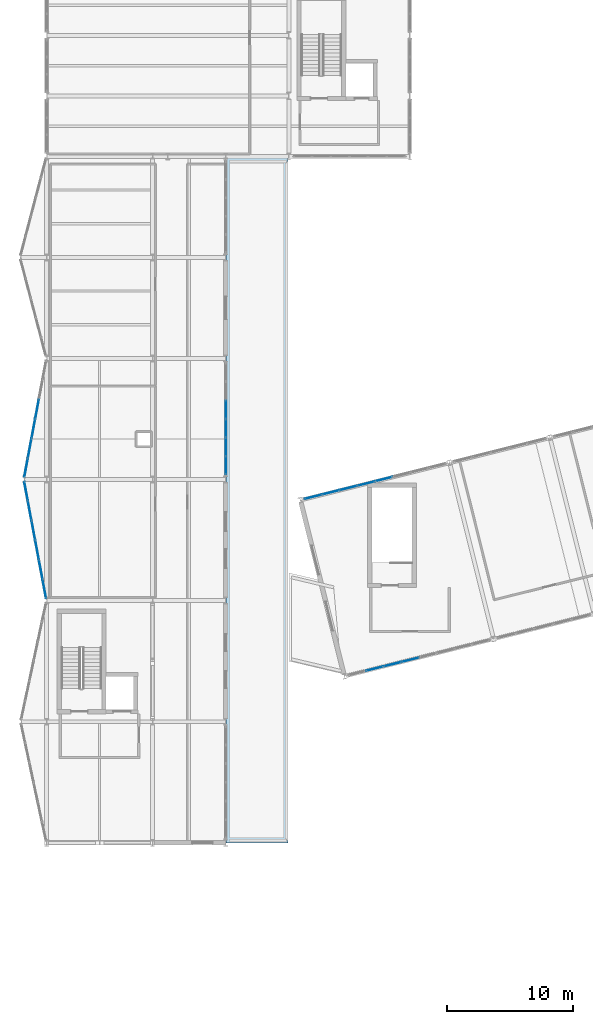
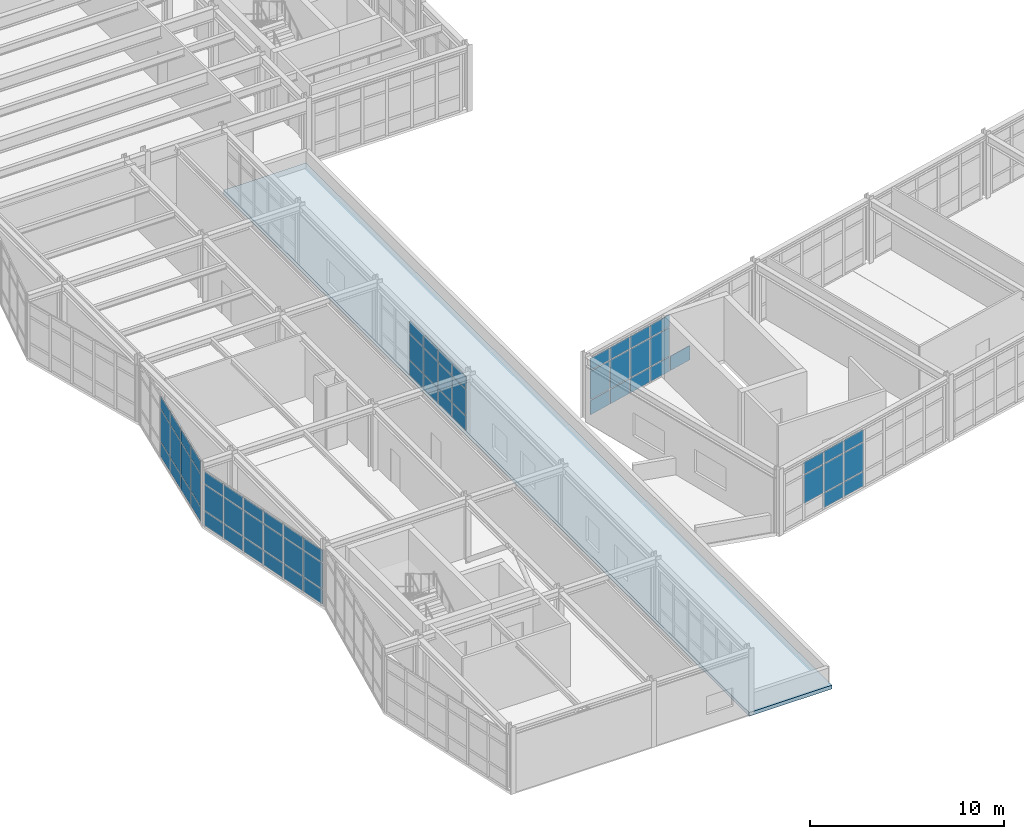
# One storey, part 40 of 64: 63 plates, 1 slab, 5 elements without a shape of their own.
"""IFC4 building model written with IfcOpenShell, lengths in metres."""

import ifcopenshell
import ifcopenshell.guid

model = None  # the IFC model being written
_history = None  # IfcOwnerHistory: only IFC2X3 demands one
_inside = {}  # id of a spatial element -> (the spatial element, [elements in it])
_under = {}  # id of a project, library or spatial element -> (it, [spatial elements below it])
_declared = {}  # id of a project -> (the project, [libraries it declares])
_typed = {}  # id of a type object -> (the type object, [elements of that type])
_made_of = {}  # id of a material, layer set ... -> (it, [elements and type objects made of it])


def new_model(schema):
    """Start an empty IFC model of exactly this schema.

    Asked for "IFC4X3", IfcOpenShell would pick the latest addendum, in which some entities
    have other attributes; the version numbers below select the first issue.
    IFC2X3 requires an IfcOwnerHistory on every rooted entity: one is made here for all.
    """
    global model, _history
    if schema == "IFC4X3":
        model = ifcopenshell.file(schema_version=(4, 3, 0, 0))
    else:
        model = ifcopenshell.file(schema=schema)
    _inside.clear()
    _under.clear()
    _declared.clear()
    _typed.clear()
    _made_of.clear()
    _history = None
    if model.schema == "IFC2X3":
        org = make("IfcOrganization", Name="unknown")
        user = make(
            "IfcPersonAndOrganization",
            ThePerson=make("IfcPerson", FamilyName="unknown"),
            TheOrganization=org,
        )
        app = make(
            "IfcApplication",
            ApplicationDeveloper=org,
            Version="unknown",
            ApplicationFullName="unknown",
            ApplicationIdentifier="unknown",
        )
        _history = make(
            "IfcOwnerHistory",
            OwningUser=user,
            OwningApplication=app,
            ChangeAction="ADDED",
            CreationDate=0,
        )
    return model


def make(cls, **values):
    """One entity of the class cls with the attributes given. An attribute that is None is left unset."""
    return model.create_entity(
        cls, **{name: value for name, value in values.items() if value is not None}
    )


def rooted(cls, **values):
    """An entity with a GlobalId (a new one), such as an element, a storey or a relation."""
    return make(cls, GlobalId=ifcopenshell.guid.new(), OwnerHistory=_history, **values)


def si_unit(unit_type, name, prefix=None):
    """IfcSIUnit, for example si_unit("LENGTHUNIT", "METRE", prefix="MILLI")."""
    return make("IfcSIUnit", UnitType=unit_type, Prefix=prefix, Name=name)


def assignment(units):
    """IfcUnitAssignment: the units of a project."""
    return None if units is None else make("IfcUnitAssignment", Units=units)


def point(xyz):
    """IfcCartesianPoint."""
    return None if xyz is None else make("IfcCartesianPoint", Coordinates=xyz)


def direction(xyz):
    """IfcDirection."""
    return None if xyz is None else make("IfcDirection", DirectionRatios=xyz)


def frame(location, z_axis=None, x_axis=None):
    """IfcAxis2Placement3D, a coordinate frame: its origin and axes. An axis left out is left unset."""
    return make(
        "IfcAxis2Placement3D",
        Location=point(location),
        Axis=direction(z_axis),
        RefDirection=direction(x_axis),
    )


def frame_2d(location, x_axis=None):
    """IfcAxis2Placement2D, a coordinate frame in the plane: its origin and x axis."""
    return make(
        "IfcAxis2Placement2D", Location=point(location), RefDirection=direction(x_axis)
    )


def origin():
    """The frame at (0, 0, 0) with its axes left unset."""
    return frame((0.0, 0.0, 0.0))


def origin_2d():
    """The frame at (0, 0) in the plane with its x axis left unset."""
    return frame_2d((0.0, 0.0))


def place(relative_to, where):
    """IfcLocalPlacement: puts the frame where relative to a parent placement (None: the world)."""
    return make(
        "IfcLocalPlacement", PlacementRelTo=relative_to, RelativePlacement=where
    )


def context(
    kind, dimensions, precision=None, world=None, true_north=None, identifier=None
):
    """IfcGeometricRepresentationContext, for example the 3D "Model" context."""
    return make(
        "IfcGeometricRepresentationContext",
        ContextIdentifier=identifier,
        ContextType=kind,
        CoordinateSpaceDimension=dimensions,
        Precision=precision,
        WorldCoordinateSystem=world,
        TrueNorth=true_north,
    )


def subcontext(parent, identifier, kind, view, scale=None):
    """IfcGeometricRepresentationSubContext, for example "Body" below "Model"."""
    return make(
        "IfcGeometricRepresentationSubContext",
        ContextIdentifier=identifier,
        ContextType=kind,
        ParentContext=parent,
        TargetScale=scale,
        TargetView=view,
    )


def project(units=None, contexts=None):
    """IfcProject with its units and contexts."""
    return rooted(
        "IfcProject",
        Name="project",
        RepresentationContexts=contexts,
        UnitsInContext=assignment(units),
    )


def spatial(cls, under=None, at=None, **own):
    """A site, building, storey or space (cls), placed at a placement, below another one or the project."""
    s = rooted(cls, ObjectPlacement=at, **own)
    if under is not None:
        _under.setdefault(under.id(), (under, []))[1].append(s)
    return s


def polyline(points):
    """IfcPolyline through the points."""
    return make("IfcPolyline", Points=[point(p) for p in points])


def profile(cls, at=None, kind="AREA", **sizes):
    """A parametric profile (cls). Its sizes go by their IFC names, for example OverallWidth=200.0."""
    return make(cls, ProfileType=kind, Position=at, **sizes)


def rectangle(**sizes):
    """IfcRectangleProfileDef."""
    return profile("IfcRectangleProfileDef", **sizes)


def outline(outer, holes=None, kind="AREA"):
    """IfcArbitraryClosedProfileDef: a profile drawn as a closed curve; with holes, ...WithVoids."""
    if holes is None:
        return make("IfcArbitraryClosedProfileDef", ProfileType=kind, OuterCurve=outer)
    return make(
        "IfcArbitraryProfileDefWithVoids",
        ProfileType=kind,
        OuterCurve=outer,
        InnerCurves=holes,
    )


def extrude(swept, where, along, depth):
    """IfcExtrudedAreaSolid: the profile swept, set in the frame where, extruded along a direction by depth."""
    return make(
        "IfcExtrudedAreaSolid",
        SweptArea=swept,
        Position=where,
        ExtrudedDirection=direction(along),
        Depth=depth,
    )


def shape(context_of_items, identifier, shape_type, items):
    """IfcShapeRepresentation: the items that make up one representation, for example the "Body"."""
    return make(
        "IfcShapeRepresentation",
        ContextOfItems=context_of_items,
        RepresentationIdentifier=identifier,
        RepresentationType=shape_type,
        Items=items,
    )


def material(Name=None, Category=None):
    """IfcMaterial."""
    return make("IfcMaterial", Name=Name, Category=Category)


def layer(
    of_material, thickness, ventilated=None, Name=None, Category=None, Priority=None
):
    """IfcMaterialLayer: one layer of a wall or slab, of a material (None: an air gap)."""
    return make(
        "IfcMaterialLayer",
        Material=of_material,
        LayerThickness=thickness,
        IsVentilated=ventilated,
        Name=Name,
        Category=Category,
        Priority=Priority,
    )


def layer_set(layers, Name=None):
    """IfcMaterialLayerSet."""
    return make("IfcMaterialLayerSet", MaterialLayers=layers, LayerSetName=Name)


def made_of(thing, what):
    """Note that an element or type object is made of a material, layer set ...; save() writes the relation."""
    if what is not None:
        _made_of.setdefault(what.id(), (what, []))[1].append(thing)
    return thing


def type_object(cls, material=None, **own):
    """A type object (cls), such as IfcWallType, which elements share."""
    return made_of(rooted(cls, **own), material)


def element(
    cls,
    number,
    at=None,
    inside=None,
    cuts=None,
    type_object=None,
    material=None,
    context=None,
    identifier="Body",
    shape_type=None,
    held_by="IfcProductDefinitionShape",
    body=None,
    shapes=None,
    **own,
):
    """One element of the class cls, such as IfcWall. Its Tag is "e" and its number.

    at: its placement. inside: the storey or other place that contains it. cuts: it is an
    opening in that element (IfcRelVoidsElement). A single representation is given by context,
    identifier, shape_type and body (its items); several are given by shapes. held_by: the class
    of the entity that holds the representations. save() writes the other relations.
    """
    e = rooted(cls, Tag="e%d" % number, ObjectPlacement=at, **own)
    if body is not None:
        shapes = [shape(context, identifier, shape_type, body)]
    if shapes is not None:
        e.Representation = make(held_by, Representations=shapes)
    if inside is not None:
        _inside.setdefault(inside.id(), (inside, []))[1].append(e)
    if cuts is not None:
        rooted(
            "IfcRelVoidsElement", RelatingBuildingElement=cuts, RelatedOpeningElement=e
        )
    if type_object is not None:
        _typed.setdefault(type_object.id(), (type_object, []))[1].append(e)
    return made_of(e, material)


def aggregate(whole, parts):
    """IfcRelAggregates: a whole, such as a stair, and the parts it consists of."""
    return rooted("IfcRelAggregates", RelatingObject=whole, RelatedObjects=parts)


def save(model, path):
    """Write the relations noted so far, then the file.

    IfcRelAggregates (storeys below a building ...), IfcRelContainedInSpatialStructure (elements
    in a storey), IfcRelDefinesByType, IfcRelAssociatesMaterial and IfcRelDeclares: one each for
    every whole, place, type object, material and project.
    """
    for whole, parts in _under.values():
        aggregate(whole, parts)
    for where, things in _inside.values():
        rooted(
            "IfcRelContainedInSpatialStructure",
            RelatedElements=things,
            RelatingStructure=where,
        )
    for kind, things in _typed.values():
        rooted("IfcRelDefinesByType", RelatedObjects=things, RelatingType=kind)
    for what, things in _made_of.values():
        rooted("IfcRelAssociatesMaterial", RelatedObjects=things, RelatingMaterial=what)
    for by, libraries in _declared.values():
        rooted("IfcRelDeclares", RelatingContext=by, RelatedDefinitions=libraries)
    model.write(path)


model = new_model("IFC4")

# Units and contexts
model_context = context("Model", 3, precision=1e-05, world=origin(), true_north=direction((0.0, 1.0)))
body_context = subcontext(model_context, "Body", "Model", "MODEL_VIEW")
ifc_project = project(units=[si_unit("LENGTHUNIT", "METRE"), si_unit("AREAUNIT", "SQUARE_METRE"), si_unit("VOLUMEUNIT", "CUBIC_METRE"), si_unit("PLANEANGLEUNIT", "RADIAN"), si_unit("MASSUNIT", "GRAM", prefix="KILO")], contexts=[model_context])

# Site, building, storey
site_placement = place(None, origin())
site = spatial("IfcSite", under=ifc_project, at=site_placement, CompositionType="ELEMENT")
building_placement = place(site_placement, origin())
building = spatial("IfcBuilding", under=site, at=building_placement, Name="Nordkorset Police Headquarters", CompositionType="ELEMENT")
storey_placement = place(building_placement, frame((0.0, 0.0, 17.85009765625)))
storey = spatial("IfcBuildingStorey", under=building, at=storey_placement, Name="L04", CompositionType="ELEMENT", Elevation=17.85009765625)

# Curtain wall, plates
ifc_material_1 = material(Name="Aluminium alloy AW-6060", Category="aluminium")
ifc_layer_1 = layer(ifc_material_1, 0.179931640625, Name="Aluminium alloy AW-6060")
ifc_layer_set_1 = layer_set([ifc_layer_1], Name="Aluminium alloy AW-6060")
curtain_wall_type_1 = type_object("IfcCurtainWallType", Name="CW_Unit_949x353", PredefinedType="USERDEFINED", material=ifc_layer_set_1)
curtain_wall_1_placement = place(storey_placement, origin())
curtain_wall_1 = element("IfcCurtainWall", 1, at=curtain_wall_1_placement, inside=storey, type_object=curtain_wall_type_1, Name="Unitised Curtain Wall L04 V3W-2", ObjectType="UNITISED CURTAIN WALL", PredefinedType="USERDEFINED")
ifc_material_2 = material(Name="Low-iron triple glazing", Category="glass")
ifc_layer_2 = layer(ifc_material_2, 0.035888671875, Name="Low-iron triple glazing")
ifc_layer_set_2 = layer_set([ifc_layer_2], Name="Low-iron triple glazing")
plate_type = type_object("IfcPlateType", Name="CW_Panel_TripleGlazing_36", PredefinedType="CURTAIN_PANEL", material=ifc_layer_set_2)
plate_1_placement = place(storey_placement, frame((-0.174560546875, 48.9306640625, 0.06494140625), z_axis=(0.0, 0.0, 1.0), x_axis=(-0.184288535048, 0.982872186935, 0.0)))
plate_1 = element("IfcPlate", 2, at=plate_1_placement, type_object=plate_type, Name="CW-13 panel 1.1", PredefinedType="CURTAIN_PANEL", context=body_context, shape_type="SweptSolid", body=[
    extrude(rectangle(XDim=1.483642578125, YDim=0.035888671875, at=origin_2d()), origin(), (0.0, 0.0, 1.0), 0.902587890625),
])
plate_2_placement = place(storey_placement, frame((-0.174560546875, 48.9306640625, 1.0322265625), z_axis=(0.0, 0.0, 1.0), x_axis=(-0.184288535048, 0.982872186935, 0.0)))
plate_2 = element("IfcPlate", 3, at=plate_2_placement, type_object=plate_type, Name="CW-13 panel 1.2", PredefinedType="CURTAIN_PANEL", context=body_context, shape_type="SweptSolid", body=[
    extrude(rectangle(XDim=1.483642578125, YDim=0.035888671875, at=origin_2d()), origin(), (0.0, 0.0, 1.0), 1.614990234375),
])
plate_3_placement = place(storey_placement, frame((-0.174560546875, 48.9306640625, 2.71240234375), z_axis=(0.0, 0.0, 1.0), x_axis=(-0.184288535048, 0.982872186935, 0.0)))
plate_3 = element("IfcPlate", 4, at=plate_3_placement, type_object=plate_type, Name="CW-13 panel 1.3", PredefinedType="CURTAIN_PANEL", context=body_context, shape_type="SweptSolid", body=[
    extrude(rectangle(XDim=1.483642578125, YDim=0.035888671875, at=origin_2d()), origin(), (0.0, 0.0, 1.0), 0.75244140625),
])
plate_4_placement = place(storey_placement, frame((-0.462890625, 50.46875, 0.06494140625), z_axis=(0.0, 0.0, 1.0), x_axis=(-0.184288535048, 0.982872186935, 0.0)))
plate_4 = element("IfcPlate", 5, at=plate_4_placement, type_object=plate_type, Name="CW-13 panel 2.1", PredefinedType="CURTAIN_PANEL", context=body_context, shape_type="SweptSolid", body=[
    extrude(rectangle(XDim=1.51611328125, YDim=0.035888671875, at=origin_2d()), origin(), (0.0, 0.0, 1.0), 0.902587890625),
])
plate_5_placement = place(storey_placement, frame((-0.462890625, 50.46875, 1.0322265625), z_axis=(0.0, 0.0, 1.0), x_axis=(-0.184288535048, 0.982872186935, 0.0)))
plate_5 = element("IfcPlate", 6, at=plate_5_placement, type_object=plate_type, Name="CW-13 panel 2.2", PredefinedType="CURTAIN_PANEL", context=body_context, shape_type="SweptSolid", body=[
    extrude(rectangle(XDim=1.51611328125, YDim=0.035888671875, at=origin_2d()), origin(), (0.0, 0.0, 1.0), 1.614990234375),
])
plate_6_placement = place(storey_placement, frame((-0.462890625, 50.46875, 2.71240234375), z_axis=(0.0, 0.0, 1.0), x_axis=(-0.184288535048, 0.982872186935, 0.0)))
plate_6 = element("IfcPlate", 7, at=plate_6_placement, type_object=plate_type, Name="CW-13 panel 2.3", PredefinedType="CURTAIN_PANEL", context=body_context, shape_type="SweptSolid", body=[
    extrude(rectangle(XDim=1.51611328125, YDim=0.035888671875, at=origin_2d()), origin(), (0.0, 0.0, 1.0), 0.75244140625),
])
plate_7_placement = place(storey_placement, frame((-0.75439453125, 52.02294921875, 0.06494140625), z_axis=(0.0, 0.0, 1.0), x_axis=(-0.184288535048, 0.982872186935, 0.0)))
plate_7 = element("IfcPlate", 8, at=plate_7_placement, type_object=plate_type, Name="CW-13 panel 3.1", PredefinedType="CURTAIN_PANEL", context=body_context, shape_type="SweptSolid", body=[
    extrude(rectangle(XDim=1.51611328125, YDim=0.035888671875, at=origin_2d()), origin(), (0.0, 0.0, 1.0), 0.902587890625),
])
plate_8_placement = place(storey_placement, frame((-0.75439453125, 52.02294921875, 1.0322265625), z_axis=(0.0, 0.0, 1.0), x_axis=(-0.184288535048, 0.982872186935, 0.0)))
plate_8 = element("IfcPlate", 9, at=plate_8_placement, type_object=plate_type, Name="CW-13 panel 3.2", PredefinedType="CURTAIN_PANEL", context=body_context, shape_type="SweptSolid", body=[
    extrude(rectangle(XDim=1.51611328125, YDim=0.035888671875, at=origin_2d()), origin(), (0.0, 0.0, 1.0), 1.614990234375),
])
plate_9_placement = place(storey_placement, frame((-0.75439453125, 52.02294921875, 2.71240234375), z_axis=(0.0, 0.0, 1.0), x_axis=(-0.184288535048, 0.982872186935, 0.0)))
plate_9 = element("IfcPlate", 10, at=plate_9_placement, type_object=plate_type, Name="CW-13 panel 3.3", PredefinedType="CURTAIN_PANEL", context=body_context, shape_type="SweptSolid", body=[
    extrude(rectangle(XDim=1.51611328125, YDim=0.035888671875, at=origin_2d()), origin(), (0.0, 0.0, 1.0), 0.75244140625),
])
plate_10_placement = place(storey_placement, frame((-1.045654296875, 53.5771484375, 0.06494140625), z_axis=(0.0, 0.0, 1.0), x_axis=(-0.184288535048, 0.982872186935, 0.0)))
plate_10 = element("IfcPlate", 11, at=plate_10_placement, type_object=plate_type, Name="CW-13 panel 4.1", PredefinedType="CURTAIN_PANEL", context=body_context, shape_type="SweptSolid", body=[
    extrude(rectangle(XDim=1.51611328125, YDim=0.035888671875, at=origin_2d()), origin(), (0.0, 0.0, 1.0), 0.902587890625),
])
plate_11_placement = place(storey_placement, frame((-1.045654296875, 53.5771484375, 1.0322265625), z_axis=(0.0, 0.0, 1.0), x_axis=(-0.184288535048, 0.982872186935, 0.0)))
plate_11 = element("IfcPlate", 12, at=plate_11_placement, type_object=plate_type, Name="CW-13 panel 4.2", PredefinedType="CURTAIN_PANEL", context=body_context, shape_type="SweptSolid", body=[
    extrude(rectangle(XDim=1.51611328125, YDim=0.035888671875, at=origin_2d()), origin(), (0.0, 0.0, 1.0), 1.614990234375),
])
plate_12_placement = place(storey_placement, frame((-1.045654296875, 53.5771484375, 2.71240234375), z_axis=(0.0, 0.0, 1.0), x_axis=(-0.184288535048, 0.982872186935, 0.0)))
plate_12 = element("IfcPlate", 13, at=plate_12_placement, type_object=plate_type, Name="CW-13 panel 4.3", PredefinedType="CURTAIN_PANEL", context=body_context, shape_type="SweptSolid", body=[
    extrude(rectangle(XDim=1.51611328125, YDim=0.035888671875, at=origin_2d()), origin(), (0.0, 0.0, 1.0), 0.75244140625),
])
plate_13_placement = place(storey_placement, frame((-1.337158203125, 55.131103515625, 0.06494140625), z_axis=(0.0, 0.0, 1.0), x_axis=(-0.184288535048, 0.982872186935, 0.0)))
plate_13 = element("IfcPlate", 14, at=plate_13_placement, type_object=plate_type, Name="CW-13 panel 5.1", PredefinedType="CURTAIN_PANEL", context=body_context, shape_type="SweptSolid", body=[
    extrude(rectangle(XDim=1.51611328125, YDim=0.035888671875, at=origin_2d()), origin(), (0.0, 0.0, 1.0), 0.902587890625),
])
plate_14_placement = place(storey_placement, frame((-1.337158203125, 55.131103515625, 1.0322265625), z_axis=(0.0, 0.0, 1.0), x_axis=(-0.184288535048, 0.982872186935, 0.0)))
plate_14 = element("IfcPlate", 15, at=plate_14_placement, type_object=plate_type, Name="CW-13 panel 5.2", PredefinedType="CURTAIN_PANEL", context=body_context, shape_type="SweptSolid", body=[
    extrude(rectangle(XDim=1.51611328125, YDim=0.035888671875, at=origin_2d()), origin(), (0.0, 0.0, 1.0), 1.614990234375),
])
plate_15_placement = place(storey_placement, frame((-1.337158203125, 55.131103515625, 2.71240234375), z_axis=(0.0, 0.0, 1.0), x_axis=(-0.184288535048, 0.982872186935, 0.0)))
plate_15 = element("IfcPlate", 16, at=plate_15_placement, type_object=plate_type, Name="CW-13 panel 5.3", PredefinedType="CURTAIN_PANEL", context=body_context, shape_type="SweptSolid", body=[
    extrude(rectangle(XDim=1.51611328125, YDim=0.035888671875, at=origin_2d()), origin(), (0.0, 0.0, 1.0), 0.75244140625),
])
plate_16_placement = place(storey_placement, frame((-1.62548828125, 56.66943359375, 0.06494140625), z_axis=(0.0, 0.0, 1.0), x_axis=(-0.184288535048, 0.982872186935, 0.0)))
plate_16 = element("IfcPlate", 17, at=plate_16_placement, type_object=plate_type, Name="CW-13 panel 6.1", PredefinedType="CURTAIN_PANEL", context=body_context, shape_type="SweptSolid", body=[
    extrude(rectangle(XDim=1.483642578125, YDim=0.035888671875, at=origin_2d()), origin(), (0.0, 0.0, 1.0), 0.902587890625),
])
plate_17_placement = place(storey_placement, frame((-1.62548828125, 56.66943359375, 1.0322265625), z_axis=(0.0, 0.0, 1.0), x_axis=(-0.184288535048, 0.982872186935, 0.0)))
plate_17 = element("IfcPlate", 18, at=plate_17_placement, type_object=plate_type, Name="CW-13 panel 6.2", PredefinedType="CURTAIN_PANEL", context=body_context, shape_type="SweptSolid", body=[
    extrude(rectangle(XDim=1.483642578125, YDim=0.035888671875, at=origin_2d()), origin(), (0.0, 0.0, 1.0), 1.614990234375),
])
plate_18_placement = place(storey_placement, frame((-1.62548828125, 56.66943359375, 2.71240234375), z_axis=(0.0, 0.0, 1.0), x_axis=(-0.184288535048, 0.982872186935, 0.0)))
plate_18 = element("IfcPlate", 19, at=plate_18_placement, type_object=plate_type, Name="CW-13 panel 6.3", PredefinedType="CURTAIN_PANEL", context=body_context, shape_type="SweptSolid", body=[
    extrude(rectangle(XDim=1.483642578125, YDim=0.035888671875, at=origin_2d()), origin(), (0.0, 0.0, 1.0), 0.75244140625),
])
aggregate(curtain_wall_1, [plate_1, plate_2, plate_3, plate_4, plate_5, plate_6, plate_7, plate_8, plate_9, plate_10, plate_11, plate_12, plate_13, plate_14, plate_15, plate_16, plate_17, plate_18])

ifc_material_3 = material(Name="Aluminium alloy AW-6060", Category="aluminium")
ifc_layer_3 = layer(ifc_material_3, 0.179931640625, Name="Aluminium alloy AW-6060")
ifc_layer_set_3 = layer_set([ifc_layer_3], Name="Aluminium alloy AW-6060")
curtain_wall_type_2 = type_object("IfcCurtainWallType", Name="CW_Unit_949x392", PredefinedType="USERDEFINED", material=ifc_layer_set_3)
curtain_wall_2_placement = place(storey_placement, origin())
curtain_wall_2 = element("IfcCurtainWall", 20, at=curtain_wall_2_placement, inside=storey, type_object=curtain_wall_type_2, Name="Unitised Curtain Wall L04 V3W-3", ObjectType="UNITISED CURTAIN WALL", PredefinedType="USERDEFINED")
plate_19_placement = place(storey_placement, frame((-1.62548828125, 58.530517578125, 0.06494140625), z_axis=(0.0, 0.0, 1.0), x_axis=(0.184288535048, 0.982872186935, 0.0)))
plate_19 = element("IfcPlate", 21, at=plate_19_placement, type_object=plate_type, Name="CW-49 panel 1.1", PredefinedType="CURTAIN_PANEL", context=body_context, shape_type="SweptSolid", body=[
    extrude(rectangle(XDim=1.483642578125, YDim=0.035888671875, at=origin_2d()), origin(), (0.0, 0.0, 1.0), 0.902587890625),
])
plate_20_placement = place(storey_placement, frame((-1.62548828125, 58.530517578125, 1.032470703125), z_axis=(0.0, 0.0, 1.0), x_axis=(0.184288535048, 0.982872186935, 0.0)))
plate_20 = element("IfcPlate", 22, at=plate_20_placement, type_object=plate_type, Name="CW-49 panel 1.2", PredefinedType="CURTAIN_PANEL", context=body_context, shape_type="SweptSolid", body=[
    extrude(rectangle(XDim=1.483642578125, YDim=0.035888671875, at=origin_2d()), origin(), (0.0, 0.0, 1.0), 2.0048828125),
])
plate_21_placement = place(storey_placement, frame((-1.62548828125, 58.530517578125, 3.1025390625), z_axis=(0.0, 0.0, 1.0), x_axis=(0.184288535048, 0.982872186935, 0.0)))
plate_21 = element("IfcPlate", 23, at=plate_21_placement, type_object=plate_type, Name="CW-49 panel 1.3", PredefinedType="CURTAIN_PANEL", context=body_context, shape_type="SweptSolid", body=[
    extrude(rectangle(XDim=1.483642578125, YDim=0.035888671875, at=origin_2d()), origin(), (0.0, 0.0, 1.0), 0.75244140625),
])
plate_22_placement = place(storey_placement, frame((-1.337158203125, 60.06884765625, 0.06494140625), z_axis=(0.0, 0.0, 1.0), x_axis=(0.184288535048, 0.982872186935, 0.0)))
plate_22 = element("IfcPlate", 24, at=plate_22_placement, type_object=plate_type, Name="CW-49 panel 2.1", PredefinedType="CURTAIN_PANEL", context=body_context, shape_type="SweptSolid", body=[
    extrude(rectangle(XDim=1.51611328125, YDim=0.035888671875, at=origin_2d()), origin(), (0.0, 0.0, 1.0), 0.902587890625),
])
plate_23_placement = place(storey_placement, frame((-1.337158203125, 60.06884765625, 1.032470703125), z_axis=(0.0, 0.0, 1.0), x_axis=(0.184288535048, 0.982872186935, 0.0)))
plate_23 = element("IfcPlate", 25, at=plate_23_placement, type_object=plate_type, Name="CW-49 panel 2.2", PredefinedType="CURTAIN_PANEL", context=body_context, shape_type="SweptSolid", body=[
    extrude(rectangle(XDim=1.51611328125, YDim=0.035888671875, at=origin_2d()), origin(), (0.0, 0.0, 1.0), 2.0048828125),
])
plate_24_placement = place(storey_placement, frame((-1.337158203125, 60.06884765625, 3.1025390625), z_axis=(0.0, 0.0, 1.0), x_axis=(0.184288535048, 0.982872186935, 0.0)))
plate_24 = element("IfcPlate", 26, at=plate_24_placement, type_object=plate_type, Name="CW-49 panel 2.3", PredefinedType="CURTAIN_PANEL", context=body_context, shape_type="SweptSolid", body=[
    extrude(rectangle(XDim=1.51611328125, YDim=0.035888671875, at=origin_2d()), origin(), (0.0, 0.0, 1.0), 0.75244140625),
])
plate_25_placement = place(storey_placement, frame((-1.045654296875, 61.623046875, 0.06494140625), z_axis=(0.0, 0.0, 1.0), x_axis=(0.184288535048, 0.982872186935, 0.0)))
plate_25 = element("IfcPlate", 27, at=plate_25_placement, type_object=plate_type, Name="CW-49 panel 3.1", PredefinedType="CURTAIN_PANEL", context=body_context, shape_type="SweptSolid", body=[
    extrude(rectangle(XDim=1.51611328125, YDim=0.035888671875, at=origin_2d()), origin(), (0.0, 0.0, 1.0), 0.902587890625),
])
plate_26_placement = place(storey_placement, frame((-1.045654296875, 61.623046875, 1.032470703125), z_axis=(0.0, 0.0, 1.0), x_axis=(0.184288535048, 0.982872186935, 0.0)))
plate_26 = element("IfcPlate", 28, at=plate_26_placement, type_object=plate_type, Name="CW-49 panel 3.2", PredefinedType="CURTAIN_PANEL", context=body_context, shape_type="SweptSolid", body=[
    extrude(rectangle(XDim=1.51611328125, YDim=0.035888671875, at=origin_2d()), origin(), (0.0, 0.0, 1.0), 2.0048828125),
])
plate_27_placement = place(storey_placement, frame((-1.045654296875, 61.623046875, 3.1025390625), z_axis=(0.0, 0.0, 1.0), x_axis=(0.184288535048, 0.982872186935, 0.0)))
plate_27 = element("IfcPlate", 29, at=plate_27_placement, type_object=plate_type, Name="CW-49 panel 3.3", PredefinedType="CURTAIN_PANEL", context=body_context, shape_type="SweptSolid", body=[
    extrude(rectangle(XDim=1.51611328125, YDim=0.035888671875, at=origin_2d()), origin(), (0.0, 0.0, 1.0), 0.75244140625),
])
plate_28_placement = place(storey_placement, frame((-0.75439453125, 63.177001953125, 0.06494140625), z_axis=(0.0, 0.0, 1.0), x_axis=(0.184288535048, 0.982872186935, 0.0)))
plate_28 = element("IfcPlate", 30, at=plate_28_placement, type_object=plate_type, Name="CW-49 panel 4.1", PredefinedType="CURTAIN_PANEL", context=body_context, shape_type="SweptSolid", body=[
    extrude(rectangle(XDim=1.51611328125, YDim=0.035888671875, at=origin_2d()), origin(), (0.0, 0.0, 1.0), 0.902587890625),
])
plate_29_placement = place(storey_placement, frame((-0.75439453125, 63.177001953125, 1.032470703125), z_axis=(0.0, 0.0, 1.0), x_axis=(0.184288535048, 0.982872186935, 0.0)))
plate_29 = element("IfcPlate", 31, at=plate_29_placement, type_object=plate_type, Name="CW-49 panel 4.2", PredefinedType="CURTAIN_PANEL", context=body_context, shape_type="SweptSolid", body=[
    extrude(rectangle(XDim=1.51611328125, YDim=0.035888671875, at=origin_2d()), origin(), (0.0, 0.0, 1.0), 2.0048828125),
])
plate_30_placement = place(storey_placement, frame((-0.75439453125, 63.177001953125, 3.1025390625), z_axis=(0.0, 0.0, 1.0), x_axis=(0.184288535048, 0.982872186935, 0.0)))
plate_30 = element("IfcPlate", 32, at=plate_30_placement, type_object=plate_type, Name="CW-49 panel 4.3", PredefinedType="CURTAIN_PANEL", context=body_context, shape_type="SweptSolid", body=[
    extrude(rectangle(XDim=1.51611328125, YDim=0.035888671875, at=origin_2d()), origin(), (0.0, 0.0, 1.0), 0.75244140625),
])
aggregate(curtain_wall_2, [plate_19, plate_20, plate_21, plate_22, plate_23, plate_24, plate_25, plate_26, plate_27, plate_28, plate_29, plate_30])

ifc_material_4 = material(Name="Aluminium alloy AW-6060", Category="aluminium")
ifc_layer_4 = layer(ifc_material_4, 0.179931640625, Name="Aluminium alloy AW-6060")
ifc_layer_set_4 = layer_set([ifc_layer_4], Name="Aluminium alloy AW-6060")
curtain_wall_type_3 = type_object("IfcCurtainWallType", Name="CW_Unit_888x353", PredefinedType="USERDEFINED", material=ifc_layer_set_4)
curtain_wall_3_placement = place(storey_placement, origin())
curtain_wall_3 = element("IfcCurtainWall", 33, at=curtain_wall_3_placement, inside=storey, type_object=curtain_wall_type_3, Name="Unitised Curtain Wall L04 V3E-3", ObjectType="UNITISED CURTAIN WALL", PredefinedType="USERDEFINED")
plate_31_placement = place(storey_placement, frame((14.199951171875, 58.71630859375, 0.06494140625), z_axis=(0.0, 0.0, 1.0), x_axis=(0.0, 1.0, 0.0)))
plate_31 = element("IfcPlate", 34, at=plate_31_placement, type_object=plate_type, Name="CW-52 panel 1.1", PredefinedType="CURTAIN_PANEL", context=body_context, shape_type="SweptSolid", body=[
    extrude(rectangle(XDim=1.382568359375, YDim=0.035888671875, at=origin_2d()), origin(), (0.0, 0.0, 1.0), 0.902587890625),
])
plate_32_placement = place(storey_placement, frame((14.199951171875, 58.71630859375, 1.0322265625), z_axis=(0.0, 0.0, 1.0), x_axis=(0.0, 1.0, 0.0)))
plate_32 = element("IfcPlate", 35, at=plate_32_placement, type_object=plate_type, Name="CW-52 panel 1.2", PredefinedType="CURTAIN_PANEL", context=body_context, shape_type="SweptSolid", body=[
    extrude(rectangle(XDim=1.382568359375, YDim=0.035888671875, at=origin_2d()), origin(), (0.0, 0.0, 1.0), 1.614990234375),
])
plate_33_placement = place(storey_placement, frame((14.199951171875, 58.71630859375, 2.71240234375), z_axis=(0.0, 0.0, 1.0), x_axis=(0.0, 1.0, 0.0)))
plate_33 = element("IfcPlate", 36, at=plate_33_placement, type_object=plate_type, Name="CW-52 panel 1.3", PredefinedType="CURTAIN_PANEL", context=body_context, shape_type="SweptSolid", body=[
    extrude(rectangle(XDim=1.382568359375, YDim=0.035888671875, at=origin_2d()), origin(), (0.0, 0.0, 1.0), 0.75244140625),
])
plate_34_placement = place(storey_placement, frame((14.199951171875, 60.179931640625, 0.06494140625), z_axis=(0.0, 0.0, 1.0), x_axis=(0.0, 1.0, 0.0)))
plate_34 = element("IfcPlate", 37, at=plate_34_placement, type_object=plate_type, Name="CW-52 panel 2.1", PredefinedType="CURTAIN_PANEL", context=body_context, shape_type="SweptSolid", body=[
    extrude(rectangle(XDim=1.4150390625, YDim=0.035888671875, at=origin_2d()), origin(), (0.0, 0.0, 1.0), 0.902587890625),
])
plate_35_placement = place(storey_placement, frame((14.199951171875, 60.179931640625, 1.0322265625), z_axis=(0.0, 0.0, 1.0), x_axis=(0.0, 1.0, 0.0)))
plate_35 = element("IfcPlate", 38, at=plate_35_placement, type_object=plate_type, Name="CW-52 panel 2.2", PredefinedType="CURTAIN_PANEL", context=body_context, shape_type="SweptSolid", body=[
    extrude(rectangle(XDim=1.4150390625, YDim=0.035888671875, at=origin_2d()), origin(), (0.0, 0.0, 1.0), 1.614990234375),
])
plate_36_placement = place(storey_placement, frame((14.199951171875, 60.179931640625, 2.71240234375), z_axis=(0.0, 0.0, 1.0), x_axis=(0.0, 1.0, 0.0)))
plate_36 = element("IfcPlate", 39, at=plate_36_placement, type_object=plate_type, Name="CW-52 panel 2.3", PredefinedType="CURTAIN_PANEL", context=body_context, shape_type="SweptSolid", body=[
    extrude(rectangle(XDim=1.4150390625, YDim=0.035888671875, at=origin_2d()), origin(), (0.0, 0.0, 1.0), 0.75244140625),
])
plate_37_placement = place(storey_placement, frame((14.199951171875, 61.659912109375, 0.06494140625), z_axis=(0.0, 0.0, 1.0), x_axis=(0.0, 1.0, 0.0)))
plate_37 = element("IfcPlate", 40, at=plate_37_placement, type_object=plate_type, Name="CW-52 panel 3.1", PredefinedType="CURTAIN_PANEL", context=body_context, shape_type="SweptSolid", body=[
    extrude(rectangle(XDim=1.4150390625, YDim=0.035888671875, at=origin_2d()), origin(), (0.0, 0.0, 1.0), 0.902587890625),
])
plate_38_placement = place(storey_placement, frame((14.199951171875, 61.659912109375, 1.0322265625), z_axis=(0.0, 0.0, 1.0), x_axis=(0.0, 1.0, 0.0)))
plate_38 = element("IfcPlate", 41, at=plate_38_placement, type_object=plate_type, Name="CW-52 panel 3.2", PredefinedType="CURTAIN_PANEL", context=body_context, shape_type="SweptSolid", body=[
    extrude(rectangle(XDim=1.4150390625, YDim=0.035888671875, at=origin_2d()), origin(), (0.0, 0.0, 1.0), 1.614990234375),
])
plate_39_placement = place(storey_placement, frame((14.199951171875, 61.659912109375, 2.71240234375), z_axis=(0.0, 0.0, 1.0), x_axis=(0.0, 1.0, 0.0)))
plate_39 = element("IfcPlate", 42, at=plate_39_placement, type_object=plate_type, Name="CW-52 panel 3.3", PredefinedType="CURTAIN_PANEL", context=body_context, shape_type="SweptSolid", body=[
    extrude(rectangle(XDim=1.4150390625, YDim=0.035888671875, at=origin_2d()), origin(), (0.0, 0.0, 1.0), 0.75244140625),
])
plate_40_placement = place(storey_placement, frame((14.199951171875, 63.139892578125, 0.06494140625), z_axis=(0.0, 0.0, 1.0), x_axis=(0.0, 1.0, 0.0)))
plate_40 = element("IfcPlate", 43, at=plate_40_placement, type_object=plate_type, Name="CW-52 panel 4.1", PredefinedType="CURTAIN_PANEL", context=body_context, shape_type="SweptSolid", body=[
    extrude(rectangle(XDim=1.4150390625, YDim=0.035888671875, at=origin_2d()), origin(), (0.0, 0.0, 1.0), 0.902587890625),
])
plate_41_placement = place(storey_placement, frame((14.199951171875, 63.139892578125, 1.0322265625), z_axis=(0.0, 0.0, 1.0), x_axis=(0.0, 1.0, 0.0)))
plate_41 = element("IfcPlate", 44, at=plate_41_placement, type_object=plate_type, Name="CW-52 panel 4.2", PredefinedType="CURTAIN_PANEL", context=body_context, shape_type="SweptSolid", body=[
    extrude(rectangle(XDim=1.4150390625, YDim=0.035888671875, at=origin_2d()), origin(), (0.0, 0.0, 1.0), 1.614990234375),
])
plate_42_placement = place(storey_placement, frame((14.199951171875, 63.139892578125, 2.71240234375), z_axis=(0.0, 0.0, 1.0), x_axis=(0.0, 1.0, 0.0)))
plate_42 = element("IfcPlate", 45, at=plate_42_placement, type_object=plate_type, Name="CW-52 panel 4.3", PredefinedType="CURTAIN_PANEL", context=body_context, shape_type="SweptSolid", body=[
    extrude(rectangle(XDim=1.4150390625, YDim=0.035888671875, at=origin_2d()), origin(), (0.0, 0.0, 1.0), 0.75244140625),
])
aggregate(curtain_wall_3, [plate_31, plate_32, plate_33, plate_34, plate_35, plate_36, plate_37, plate_38, plate_39, plate_40, plate_41, plate_42])

ifc_material_5 = material(Name="Aluminium alloy AW-6060", Category="aluminium")
ifc_layer_5 = layer(ifc_material_5, 0.179931640625, Name="Aluminium alloy AW-6060")
ifc_layer_set_5 = layer_set([ifc_layer_5], Name="Aluminium alloy AW-6060")
curtain_wall_type_4 = type_object("IfcCurtainWallType", Name="CW_Unit_1156x369", PredefinedType="USERDEFINED", material=ifc_layer_set_5)
curtain_wall_4_placement = place(storey_placement, origin())
curtain_wall_4 = element("IfcCurtainWall", 46, at=curtain_wall_4_placement, inside=storey, type_object=curtain_wall_type_4, Name="Unitised Curtain Wall L04 V4S-0", ObjectType="UNITISED CURTAIN WALL", PredefinedType="USERDEFINED")
plate_43_placement = place(storey_placement, frame((26.01318359375, 42.603271484375, 1.032470703125), z_axis=(0.0, 0.0, 1.0), x_axis=(0.970142500145, 0.242535625038, 0.0)))
plate_43 = element("IfcPlate", 47, at=plate_43_placement, type_object=plate_type, Name="CW-06 panel 2.2", PredefinedType="CURTAIN_PANEL", context=body_context, shape_type="SweptSolid", body=[
    extrude(rectangle(XDim=1.3798828125, YDim=0.035888671875, at=origin_2d()), origin(), (0.0, 0.0, 1.0), 1.77587890625),
])
plate_44_placement = place(storey_placement, frame((26.01318359375, 42.603271484375, 2.87353515625), z_axis=(0.0, 0.0, 1.0), x_axis=(0.970142500145, 0.242535625038, 0.0)))
plate_44 = element("IfcPlate", 48, at=plate_44_placement, type_object=plate_type, Name="CW-06 panel 2.3", PredefinedType="CURTAIN_PANEL", context=body_context, shape_type="SweptSolid", body=[
    extrude(rectangle(XDim=1.3798828125, YDim=0.035888671875, at=origin_2d()), origin(), (0.0, 0.0, 1.0), 0.75244140625),
])
plate_45_placement = place(storey_placement, frame((27.4150390625, 42.953857421875, 0.06494140625), z_axis=(0.0, 0.0, 1.0), x_axis=(0.970142500145, 0.242535625038, 0.0)))
plate_45 = element("IfcPlate", 49, at=plate_45_placement, type_object=plate_type, Name="CW-06 panel 3.1", PredefinedType="CURTAIN_PANEL", context=body_context, shape_type="SweptSolid", body=[
    extrude(rectangle(XDim=1.3798828125, YDim=0.035888671875, at=origin_2d()), origin(), (0.0, 0.0, 1.0), 0.902587890625),
])
plate_46_placement = place(storey_placement, frame((27.4150390625, 42.953857421875, 1.032470703125), z_axis=(0.0, 0.0, 1.0), x_axis=(0.970142500145, 0.242535625038, 0.0)))
plate_46 = element("IfcPlate", 50, at=plate_46_placement, type_object=plate_type, Name="CW-06 panel 3.2", PredefinedType="CURTAIN_PANEL", context=body_context, shape_type="SweptSolid", body=[
    extrude(rectangle(XDim=1.3798828125, YDim=0.035888671875, at=origin_2d()), origin(), (0.0, 0.0, 1.0), 1.77587890625),
])
plate_47_placement = place(storey_placement, frame((27.4150390625, 42.953857421875, 2.87353515625), z_axis=(0.0, 0.0, 1.0), x_axis=(0.970142500145, 0.242535625038, 0.0)))
plate_47 = element("IfcPlate", 51, at=plate_47_placement, type_object=plate_type, Name="CW-06 panel 3.3", PredefinedType="CURTAIN_PANEL", context=body_context, shape_type="SweptSolid", body=[
    extrude(rectangle(XDim=1.3798828125, YDim=0.035888671875, at=origin_2d()), origin(), (0.0, 0.0, 1.0), 0.75244140625),
])
plate_48_placement = place(storey_placement, frame((28.81689453125, 43.30419921875, 0.06494140625), z_axis=(0.0, 0.0, 1.0), x_axis=(0.970142500145, 0.242535625038, 0.0)))
plate_48 = element("IfcPlate", 52, at=plate_48_placement, type_object=plate_type, Name="CW-06 panel 4.1", PredefinedType="CURTAIN_PANEL", context=body_context, shape_type="SweptSolid", body=[
    extrude(rectangle(XDim=1.3798828125, YDim=0.035888671875, at=origin_2d()), origin(), (0.0, 0.0, 1.0), 0.902587890625),
])
plate_49_placement = place(storey_placement, frame((28.81689453125, 43.30419921875, 1.032470703125), z_axis=(0.0, 0.0, 1.0), x_axis=(0.970142500145, 0.242535625038, 0.0)))
plate_49 = element("IfcPlate", 53, at=plate_49_placement, type_object=plate_type, Name="CW-06 panel 4.2", PredefinedType="CURTAIN_PANEL", context=body_context, shape_type="SweptSolid", body=[
    extrude(rectangle(XDim=1.3798828125, YDim=0.035888671875, at=origin_2d()), origin(), (0.0, 0.0, 1.0), 1.77587890625),
])
plate_50_placement = place(storey_placement, frame((28.81689453125, 43.30419921875, 2.87353515625), z_axis=(0.0, 0.0, 1.0), x_axis=(0.970142500145, 0.242535625038, 0.0)))
plate_50 = element("IfcPlate", 54, at=plate_50_placement, type_object=plate_type, Name="CW-06 panel 4.3", PredefinedType="CURTAIN_PANEL", context=body_context, shape_type="SweptSolid", body=[
    extrude(rectangle(XDim=1.3798828125, YDim=0.035888671875, at=origin_2d()), origin(), (0.0, 0.0, 1.0), 0.75244140625),
])
aggregate(curtain_wall_4, [plate_43, plate_44, plate_45, plate_46, plate_47, plate_48, plate_49, plate_50])

curtain_wall_5_placement = place(storey_placement, origin())
curtain_wall_5 = element("IfcCurtainWall", 55, at=curtain_wall_5_placement, inside=storey, type_object=curtain_wall_type_4, Name="Unitised Curtain Wall L04 V4N-0", ObjectType="UNITISED CURTAIN WALL", PredefinedType="USERDEFINED")
plate_51_placement = place(storey_placement, frame((21.134521484375, 56.226806640625, 0.06494140625), z_axis=(0.0, 0.0, 1.0), x_axis=(0.970142347489, 0.242536235663, 0.0)))
plate_51 = element("IfcPlate", 56, at=plate_51_placement, type_object=plate_type, Name="CW-06 panel 1.1", PredefinedType="CURTAIN_PANEL", context=body_context, shape_type="SweptSolid", body=[
    extrude(rectangle(XDim=1.347412109375, YDim=0.035888671875, at=origin_2d()), origin(), (0.0, 0.0, 1.0), 0.902587890625),
])
plate_52_placement = place(storey_placement, frame((21.134521484375, 56.226806640625, 1.032470703125), z_axis=(0.0, 0.0, 1.0), x_axis=(0.970142347489, 0.242536235663, 0.0)))
plate_52 = element("IfcPlate", 57, at=plate_52_placement, type_object=plate_type, Name="CW-06 panel 1.2", PredefinedType="CURTAIN_PANEL", context=body_context, shape_type="SweptSolid", body=[
    extrude(rectangle(XDim=1.347412109375, YDim=0.035888671875, at=origin_2d()), origin(), (0.0, 0.0, 1.0), 1.77587890625),
])
plate_53_placement = place(storey_placement, frame((21.134521484375, 56.226806640625, 2.87353515625), z_axis=(0.0, 0.0, 1.0), x_axis=(0.970142347489, 0.242536235663, 0.0)))
plate_53 = element("IfcPlate", 58, at=plate_53_placement, type_object=plate_type, Name="CW-06 panel 1.3", PredefinedType="CURTAIN_PANEL", context=body_context, shape_type="SweptSolid", body=[
    extrude(rectangle(XDim=1.347412109375, YDim=0.035888671875, at=origin_2d()), origin(), (0.0, 0.0, 1.0), 0.75244140625),
])
plate_54_placement = place(storey_placement, frame((22.520751953125, 56.5732421875, 0.06494140625), z_axis=(0.0, 0.0, 1.0), x_axis=(0.970142347489, 0.242536235663, 0.0)))
plate_54 = element("IfcPlate", 59, at=plate_54_placement, type_object=plate_type, Name="CW-06 panel 2.1", PredefinedType="CURTAIN_PANEL", context=body_context, shape_type="SweptSolid", body=[
    extrude(rectangle(XDim=1.3798828125, YDim=0.035888671875, at=origin_2d()), origin(), (0.0, 0.0, 1.0), 0.902587890625),
])
plate_55_placement = place(storey_placement, frame((22.520751953125, 56.5732421875, 1.032470703125), z_axis=(0.0, 0.0, 1.0), x_axis=(0.970142347489, 0.242536235663, 0.0)))
plate_55 = element("IfcPlate", 60, at=plate_55_placement, type_object=plate_type, Name="CW-06 panel 2.2", PredefinedType="CURTAIN_PANEL", context=body_context, shape_type="SweptSolid", body=[
    extrude(rectangle(XDim=1.3798828125, YDim=0.035888671875, at=origin_2d()), origin(), (0.0, 0.0, 1.0), 1.77587890625),
])
plate_56_placement = place(storey_placement, frame((22.520751953125, 56.5732421875, 2.87353515625), z_axis=(0.0, 0.0, 1.0), x_axis=(0.970142347489, 0.242536235663, 0.0)))
plate_56 = element("IfcPlate", 61, at=plate_56_placement, type_object=plate_type, Name="CW-06 panel 2.3", PredefinedType="CURTAIN_PANEL", context=body_context, shape_type="SweptSolid", body=[
    extrude(rectangle(XDim=1.3798828125, YDim=0.035888671875, at=origin_2d()), origin(), (0.0, 0.0, 1.0), 0.75244140625),
])
plate_57_placement = place(storey_placement, frame((23.922607421875, 56.923828125, 0.06494140625), z_axis=(0.0, 0.0, 1.0), x_axis=(0.970142347489, 0.242536235663, 0.0)))
plate_57 = element("IfcPlate", 62, at=plate_57_placement, type_object=plate_type, Name="CW-06 panel 3.1", PredefinedType="CURTAIN_PANEL", context=body_context, shape_type="SweptSolid", body=[
    extrude(rectangle(XDim=1.3798828125, YDim=0.035888671875, at=origin_2d()), origin(), (0.0, 0.0, 1.0), 0.902587890625),
])
plate_58_placement = place(storey_placement, frame((23.922607421875, 56.923828125, 1.032470703125), z_axis=(0.0, 0.0, 1.0), x_axis=(0.970142347489, 0.242536235663, 0.0)))
plate_58 = element("IfcPlate", 63, at=plate_58_placement, type_object=plate_type, Name="CW-06 panel 3.2", PredefinedType="CURTAIN_PANEL", context=body_context, shape_type="SweptSolid", body=[
    extrude(rectangle(XDim=1.3798828125, YDim=0.035888671875, at=origin_2d()), origin(), (0.0, 0.0, 1.0), 1.77587890625),
])
plate_59_placement = place(storey_placement, frame((23.922607421875, 56.923828125, 2.87353515625), z_axis=(0.0, 0.0, 1.0), x_axis=(0.970142347489, 0.242536235663, 0.0)))
plate_59 = element("IfcPlate", 64, at=plate_59_placement, type_object=plate_type, Name="CW-06 panel 3.3", PredefinedType="CURTAIN_PANEL", context=body_context, shape_type="SweptSolid", body=[
    extrude(rectangle(XDim=1.3798828125, YDim=0.035888671875, at=origin_2d()), origin(), (0.0, 0.0, 1.0), 0.75244140625),
])
plate_60_placement = place(storey_placement, frame((25.324462890625, 57.274169921875, 0.06494140625), z_axis=(0.0, 0.0, 1.0), x_axis=(0.970142347489, 0.242536235663, 0.0)))
plate_60 = element("IfcPlate", 65, at=plate_60_placement, type_object=plate_type, Name="CW-06 panel 4.1", PredefinedType="CURTAIN_PANEL", context=body_context, shape_type="SweptSolid", body=[
    extrude(rectangle(XDim=1.3798828125, YDim=0.035888671875, at=origin_2d()), origin(), (0.0, 0.0, 1.0), 0.902587890625),
])
plate_61_placement = place(storey_placement, frame((25.324462890625, 57.274169921875, 1.032470703125), z_axis=(0.0, 0.0, 1.0), x_axis=(0.970142347489, 0.242536235663, 0.0)))
plate_61 = element("IfcPlate", 66, at=plate_61_placement, type_object=plate_type, Name="CW-06 panel 4.2", PredefinedType="CURTAIN_PANEL", context=body_context, shape_type="SweptSolid", body=[
    extrude(rectangle(XDim=1.3798828125, YDim=0.035888671875, at=origin_2d()), origin(), (0.0, 0.0, 1.0), 1.77587890625),
])
plate_62_placement = place(storey_placement, frame((25.324462890625, 57.274169921875, 2.87353515625), z_axis=(0.0, 0.0, 1.0), x_axis=(0.970142347489, 0.242536235663, 0.0)))
plate_62 = element("IfcPlate", 67, at=plate_62_placement, type_object=plate_type, Name="CW-06 panel 4.3", PredefinedType="CURTAIN_PANEL", context=body_context, shape_type="SweptSolid", body=[
    extrude(rectangle(XDim=1.3798828125, YDim=0.035888671875, at=origin_2d()), origin(), (0.0, 0.0, 1.0), 0.75244140625),
])
plate_63_placement = place(storey_placement, frame((26.726318359375, 57.624755859375, 0.06494140625), z_axis=(0.0, 0.0, 1.0), x_axis=(0.970142347489, 0.242536235663, 0.0)))
plate_63 = element("IfcPlate", 68, at=plate_63_placement, type_object=plate_type, Name="CW-06 panel 5.1", PredefinedType="CURTAIN_PANEL", context=body_context, shape_type="SweptSolid", body=[
    extrude(rectangle(XDim=1.3798828125, YDim=0.035888671875, at=origin_2d()), origin(), (0.0, 0.0, 1.0), 0.902587890625),
])
aggregate(curtain_wall_5, [plate_51, plate_52, plate_53, plate_54, plate_55, plate_56, plate_57, plate_58, plate_59, plate_60, plate_61, plate_62, plate_63])

# Slab
ifc_material_6 = material(Name="Concrete C35/45", Category="concrete")
ifc_layer_6 = layer(ifc_material_6, 0.235107421875, Name="Concrete C35/45")
ifc_layer_set_6 = layer_set([ifc_layer_6], Name="Concrete C35/45")
slab_type = type_object("IfcSlabType", Name="Slab_RoofFlat_235", PredefinedType="ROOF", material=ifc_layer_set_6)
slab_placement = place(storey_placement, frame((0.0, 0.0, -0.235107421875)))
element("IfcSlab", 69, at=slab_placement, inside=storey, type_object=slab_type, Name="Forensic Wing Setback Roof Slab", PredefinedType="ROOF", context=body_context, shape_type="SweptSolid", body=[
    extrude(outline(polyline([(14.2099609375, 28.800048828125), (19.14990234375, 28.800048828125), (19.14990234375, 83.14990234375), (14.2099609375, 83.14990234375), (14.2099609375, 28.800048828125)])), origin(), (0.0, 0.0, 1.0), 0.235107421875),
])

save(model, "model.ifc")
